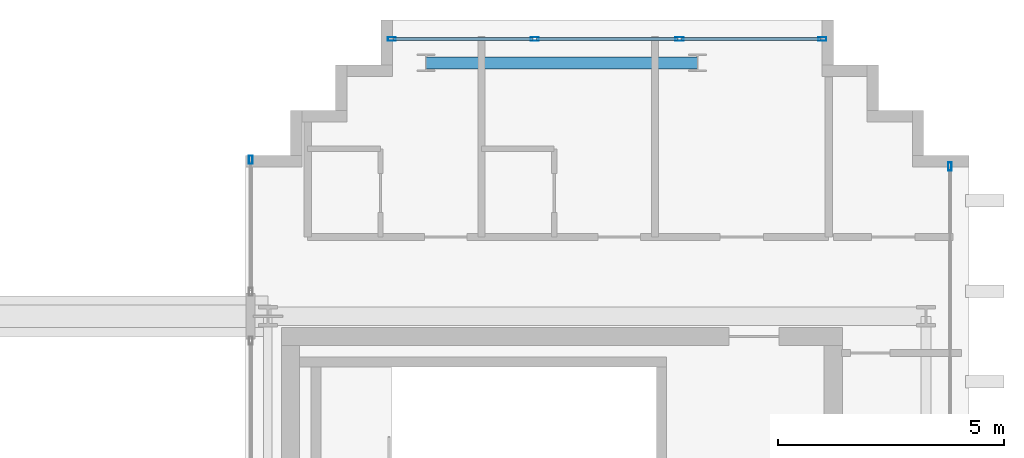
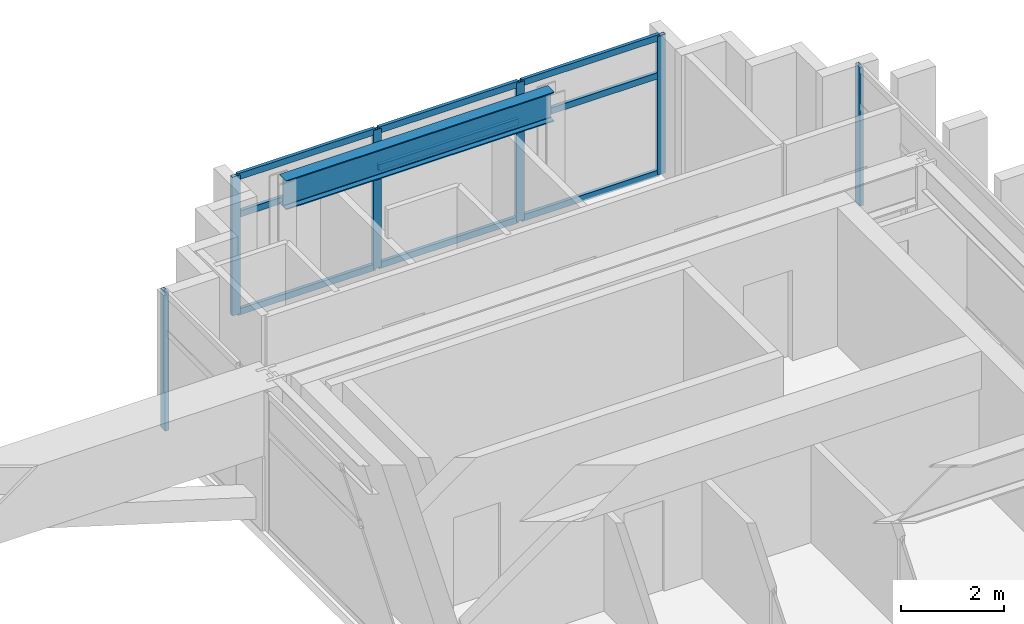
# One storey, part 20 of 28: 15 members, 1 beam, 3 elements without a shape of their own.
"""IFC4 building model written with IfcOpenShell, lengths in metres."""

from ifc_helpers import new_model, si_unit, direction, frame, origin, origin_2d, place, context, subcontext, project, spatial, hollow_rectangle, i_section, extrude, source, transform, mapped, material, layer, layer_set, material_profile, profile_set, type_object, element, aggregate, save


model = new_model("IFC4")

# Units and contexts
model_context = context("Model", 3, precision=1e-05, world=origin(), true_north=direction((0.0, 1.0)))
body_context = subcontext(model_context, "Body", "Model", "MODEL_VIEW")
ifc_project = project(units=[si_unit("LENGTHUNIT", "METRE"), si_unit("AREAUNIT", "SQUARE_METRE"), si_unit("VOLUMEUNIT", "CUBIC_METRE"), si_unit("PLANEANGLEUNIT", "RADIAN"), si_unit("MASSUNIT", "GRAM", prefix="KILO")], contexts=[model_context])

# Site, building, storey
site_placement = place(None, origin())
site = spatial("IfcSite", under=ifc_project, at=site_placement, CompositionType="ELEMENT")
building_placement = place(site_placement, origin())
building = spatial("IfcBuilding", under=site, at=building_placement, Name="Ocotamira Hotel", CompositionType="ELEMENT")
storey_placement = place(building_placement, frame((0.0, 0.0, 268.800048828125)))
storey = spatial("IfcBuildingStorey", under=building, at=storey_placement, Name="L68", CompositionType="ELEMENT", Elevation=268.800048828125)

# Beam
ifc_material_1 = material(Name="Steel ASTM A992 Grade 50", Category="steel")
ifc_material_profile_1 = material_profile(ifc_material_1, i_section(OverallWidth=0.256103515625, OverallDepth=0.693115234375, WebThickness=0.014404296875, FlangeThickness=0.023681640625, FilletRadius=0.01611328125, at=origin_2d()), Name="W27X114")
ifc_profile_set_1 = profile_set([ifc_material_profile_1], Name="Steel ASTM A992 Grade 50")
beam_type = type_object("IfcBeamType", Name="BM-PRIM-W27X114", PredefinedType="BEAM", material=ifc_profile_set_1)
shared_shape_1 = source(origin(), body_context, "Body", "SweptSolid", [
    extrude(i_section(OverallWidth=0.256103515625, OverallDepth=0.693115234375, WebThickness=0.014404296875, FlangeThickness=0.023681640625, FilletRadius=0.01611328125, at=origin_2d()), origin(), (0.0, 0.0, 1.0), 6.0),
])
beam_placement = place(storey_placement, frame((44.0, 43.050048828125, 2.933349609375), z_axis=(1.0, 0.0, 0.0), x_axis=(0.0, 1.0, 0.0)))
element("IfcBeam", 1, at=beam_placement, inside=storey, type_object=beam_type, Name="L68 Girder Y43.05 X44-50", PredefinedType="BEAM", context=body_context, shape_type="MappedRepresentation", body=[
    mapped(shared_shape_1, transform((0.0, 0.0, 0.0), scale=1.0)),
])

# Curtain wall, members
ifc_material_2 = material(Name="Anodised pale-metal aluminium and solar glass", Category="aluminium")
ifc_layer = layer(ifc_material_2, 0.2099609375)
ifc_layer_set = layer_set([ifc_layer], Name="Anodised pale-metal aluminium and solar glass")
curtain_wall_type = type_object("IfcCurtainWallType", Name="CW-SYS7-PEAK", PredefinedType="NOTDEFINED", material=ifc_layer_set)
curtain_wall_1_placement = place(storey_placement, origin())
curtain_wall_1 = element("IfcCurtainWall", 2, at=curtain_wall_1_placement, inside=storey, type_object=curtain_wall_type, Name="L68 Curtain Wall CW-7 CW-L68-EN", PredefinedType="NOTDEFINED")
ifc_material_3 = material(Name="Anodised pale-metal aluminium 6063-T6", Category="aluminium")
ifc_material_profile_2 = material_profile(ifc_material_3, hollow_rectangle(XDim=0.080078125, YDim=0.179931640625, WallThickness=0.006103515625, at=origin_2d()), Name="HSS180X80X6")
ifc_profile_set_2 = profile_set([ifc_material_profile_2], Name="Anodised pale-metal aluminium 6063-T6")
member_type_1 = type_object("IfcMemberType", Name="CWM-180X75", PredefinedType="MULLION", material=ifc_profile_set_2)
shared_shape_2 = source(origin(), body_context, "Body", "SweptSolid", [
    extrude(hollow_rectangle(XDim=0.080078125, YDim=0.179931640625, WallThickness=0.006103515625, at=origin_2d()), origin(), (0.0, 0.0, 1.0), 3.280029296875),
])
member_1_placement = place(storey_placement, frame((43.239990234375, 43.580078125, 0.0), z_axis=(0.0, 0.0, 1.0), x_axis=(0.0, 1.0, 0.0)))
member_1 = element("IfcMember", 3, at=member_1_placement, type_object=member_type_1, Name="CW-7 mullion 1", PredefinedType="MULLION", context=body_context, shape_type="MappedRepresentation", body=[
    mapped(shared_shape_2, transform((0.0, 0.0, 0.0), scale=1.0)),
])
member_2_placement = place(storey_placement, frame((46.39990234375, 43.580078125, 0.0), z_axis=(0.0, 0.0, 1.0), x_axis=(0.0, 1.0, 0.0)))
member_2 = element("IfcMember", 4, at=member_2_placement, type_object=member_type_1, Name="CW-7 mullion 2", PredefinedType="MULLION", context=body_context, shape_type="MappedRepresentation", body=[
    mapped(shared_shape_2, transform((0.0, 0.0, 0.0), scale=1.0)),
])
member_3_placement = place(storey_placement, frame((49.60009765625, 43.580078125, 0.0), z_axis=(0.0, 0.0, 1.0), x_axis=(0.0, 1.0, 0.0)))
member_3 = element("IfcMember", 5, at=member_3_placement, type_object=member_type_1, Name="CW-7 mullion 3", PredefinedType="MULLION", context=body_context, shape_type="MappedRepresentation", body=[
    mapped(shared_shape_2, transform((0.0, 0.0, 0.0), scale=1.0)),
])
member_4_placement = place(storey_placement, frame((52.760009765625, 43.580078125, 0.0), z_axis=(0.0, 0.0, 1.0), x_axis=(0.0, 1.0, 0.0)))
member_4 = element("IfcMember", 6, at=member_4_placement, type_object=member_type_1, Name="CW-7 mullion 4", PredefinedType="MULLION", context=body_context, shape_type="MappedRepresentation", body=[
    mapped(shared_shape_2, transform((0.0, 0.0, 0.0), scale=1.0)),
])

# Curtain wall, member
curtain_wall_2_placement = place(storey_placement, origin())
curtain_wall_2 = element("IfcCurtainWall", 7, at=curtain_wall_2_placement, inside=storey, type_object=curtain_wall_type, Name="L68 Curtain Wall CW-7 CW-L68-EO2", PredefinedType="NOTDEFINED")
member_5_placement = place(storey_placement, frame((55.580078125, 40.760009765625, 0.0), z_axis=(0.0, 0.0, 1.0), x_axis=(-1.0, 0.0, 0.0)))
member_5 = element("IfcMember", 8, at=member_5_placement, type_object=member_type_1, Name="CW-7 mullion 3", PredefinedType="MULLION", context=body_context, shape_type="MappedRepresentation", body=[
    mapped(shared_shape_2, transform((0.0, 0.0, 0.0), scale=1.0)),
])
aggregate(curtain_wall_2, [member_5])

curtain_wall_3_placement = place(storey_placement, origin())
curtain_wall_3 = element("IfcCurtainWall", 9, at=curtain_wall_3_placement, inside=storey, type_object=curtain_wall_type, Name="L68 Curtain Wall CW-7 CW-L68-EI4", PredefinedType="NOTDEFINED")
member_6_placement = place(storey_placement, frame((40.1201171875, 40.909912109375, 0.0), z_axis=(0.0, 0.0, 1.0), x_axis=(-1.0, 0.0, 0.0)))
member_6 = element("IfcMember", 10, at=member_6_placement, type_object=member_type_1, Name="CW-7 mullion 2", PredefinedType="MULLION", context=body_context, shape_type="MappedRepresentation", body=[
    mapped(shared_shape_2, transform((0.0, 0.0, 0.0), scale=1.0)),
])
aggregate(curtain_wall_3, [member_6])

# Member
ifc_material_profile_3 = material_profile(ifc_material_3, hollow_rectangle(XDim=0.074951171875, YDim=0.14990234375, WallThickness=0.006103515625, at=origin_2d()), Name="HSS150X75X6")
ifc_profile_set_3 = profile_set([ifc_material_profile_3], Name="Anodised pale-metal aluminium 6063-T6")
member_type_2 = type_object("IfcMemberType", Name="CWT-150X75", PredefinedType="USERDEFINED", material=ifc_profile_set_3)
shared_shape_3 = source(origin(), body_context, "Body", "SweptSolid", [
    extrude(hollow_rectangle(XDim=0.074951171875, YDim=0.14990234375, WallThickness=0.006103515625, at=origin_2d()), origin(), (0.0, 0.0, 1.0), 3.080078125),
])
member_7_placement = place(storey_placement, frame((43.280029296875, 43.580078125, 0.037353515625), z_axis=(1.0, 0.0, 0.0), x_axis=(0.0, 1.0, 0.0)))
member_7 = element("IfcMember", 11, at=member_7_placement, type_object=member_type_2, Name="CW-7 transom 1.1", ObjectType="TRANSOM", PredefinedType="USERDEFINED", context=body_context, shape_type="MappedRepresentation", body=[
    mapped(shared_shape_3, transform((0.0, 0.0, 0.0), scale=1.0)),
])

member_8_placement = place(storey_placement, frame((43.280029296875, 43.580078125, 2.349853515625), z_axis=(1.0, 0.0, 0.0), x_axis=(0.0, 1.0, 0.0)))
member_8 = element("IfcMember", 12, at=member_8_placement, type_object=member_type_2, Name="CW-7 transom 1.2", ObjectType="TRANSOM", PredefinedType="USERDEFINED", context=body_context, shape_type="MappedRepresentation", body=[
    mapped(shared_shape_3, transform((0.0, 0.0, 0.0), scale=1.0)),
])

member_9_placement = place(storey_placement, frame((43.280029296875, 43.580078125, 3.242431640625), z_axis=(1.0, 0.0, 0.0), x_axis=(0.0, 1.0, 0.0)))
member_9 = element("IfcMember", 13, at=member_9_placement, type_object=member_type_2, Name="CW-7 transom 1.3", ObjectType="TRANSOM", PredefinedType="USERDEFINED", context=body_context, shape_type="MappedRepresentation", body=[
    mapped(shared_shape_3, transform((0.0, 0.0, 0.0), scale=1.0)),
])

member_10_placement = place(storey_placement, frame((49.639892578125, 43.580078125, 0.037353515625), z_axis=(1.0, 0.0, 0.0), x_axis=(0.0, 1.0, 0.0)))
member_10 = element("IfcMember", 14, at=member_10_placement, type_object=member_type_2, Name="CW-7 transom 3.1", ObjectType="TRANSOM", PredefinedType="USERDEFINED", context=body_context, shape_type="MappedRepresentation", body=[
    mapped(shared_shape_3, transform((0.0, 0.0, 0.0), scale=1.0)),
])

member_11_placement = place(storey_placement, frame((49.639892578125, 43.580078125, 2.349853515625), z_axis=(1.0, 0.0, 0.0), x_axis=(0.0, 1.0, 0.0)))
member_11 = element("IfcMember", 15, at=member_11_placement, type_object=member_type_2, Name="CW-7 transom 3.2", ObjectType="TRANSOM", PredefinedType="USERDEFINED", context=body_context, shape_type="MappedRepresentation", body=[
    mapped(shared_shape_3, transform((0.0, 0.0, 0.0), scale=1.0)),
])

member_12_placement = place(storey_placement, frame((49.639892578125, 43.580078125, 3.242431640625), z_axis=(1.0, 0.0, 0.0), x_axis=(0.0, 1.0, 0.0)))
member_12 = element("IfcMember", 16, at=member_12_placement, type_object=member_type_2, Name="CW-7 transom 3.3", ObjectType="TRANSOM", PredefinedType="USERDEFINED", context=body_context, shape_type="MappedRepresentation", body=[
    mapped(shared_shape_3, transform((0.0, 0.0, 0.0), scale=1.0)),
])

shared_shape_4 = source(origin(), body_context, "Body", "SweptSolid", [
    extrude(hollow_rectangle(XDim=0.074951171875, YDim=0.14990234375, WallThickness=0.006103515625, at=origin_2d()), origin(), (0.0, 0.0, 1.0), 3.1201171875),
])
member_13_placement = place(storey_placement, frame((46.43994140625, 43.580078125, 0.037353515625), z_axis=(1.0, 0.0, 0.0), x_axis=(0.0, 1.0, 0.0)))
member_13 = element("IfcMember", 17, at=member_13_placement, type_object=member_type_2, Name="CW-7 transom 2.1", ObjectType="TRANSOM", PredefinedType="USERDEFINED", context=body_context, shape_type="MappedRepresentation", body=[
    mapped(shared_shape_4, transform((0.0, 0.0, 0.0), scale=1.0)),
])

member_14_placement = place(storey_placement, frame((46.43994140625, 43.580078125, 2.349853515625), z_axis=(1.0, 0.0, 0.0), x_axis=(0.0, 1.0, 0.0)))
member_14 = element("IfcMember", 18, at=member_14_placement, type_object=member_type_2, Name="CW-7 transom 2.2", ObjectType="TRANSOM", PredefinedType="USERDEFINED", context=body_context, shape_type="MappedRepresentation", body=[
    mapped(shared_shape_4, transform((0.0, 0.0, 0.0), scale=1.0)),
])

member_15_placement = place(storey_placement, frame((46.43994140625, 43.580078125, 3.242431640625), z_axis=(1.0, 0.0, 0.0), x_axis=(0.0, 1.0, 0.0)))
member_15 = element("IfcMember", 19, at=member_15_placement, type_object=member_type_2, Name="CW-7 transom 2.3", ObjectType="TRANSOM", PredefinedType="USERDEFINED", context=body_context, shape_type="MappedRepresentation", body=[
    mapped(shared_shape_4, transform((0.0, 0.0, 0.0), scale=1.0)),
])

aggregate(curtain_wall_1, [member_1, member_2, member_3, member_4, member_7, member_8, member_9, member_13, member_14, member_15, member_10, member_11, member_12])

save(model, "model.ifc")
